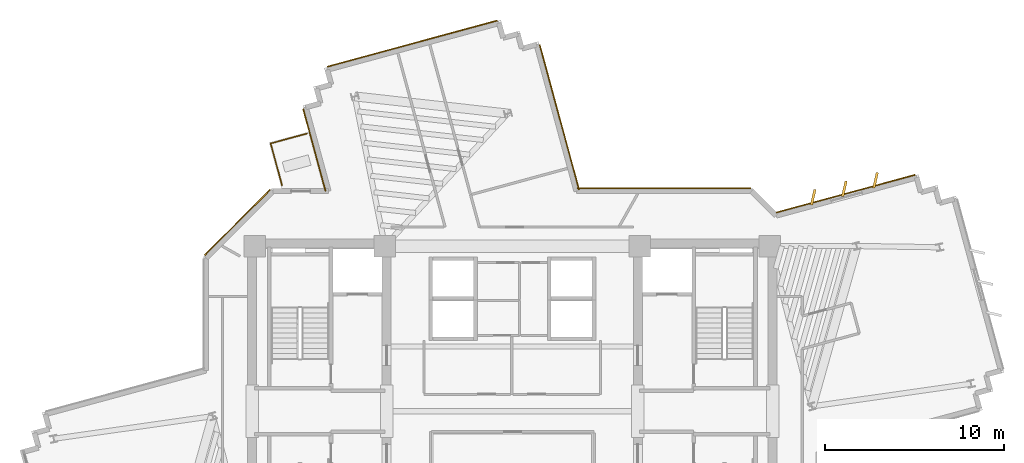
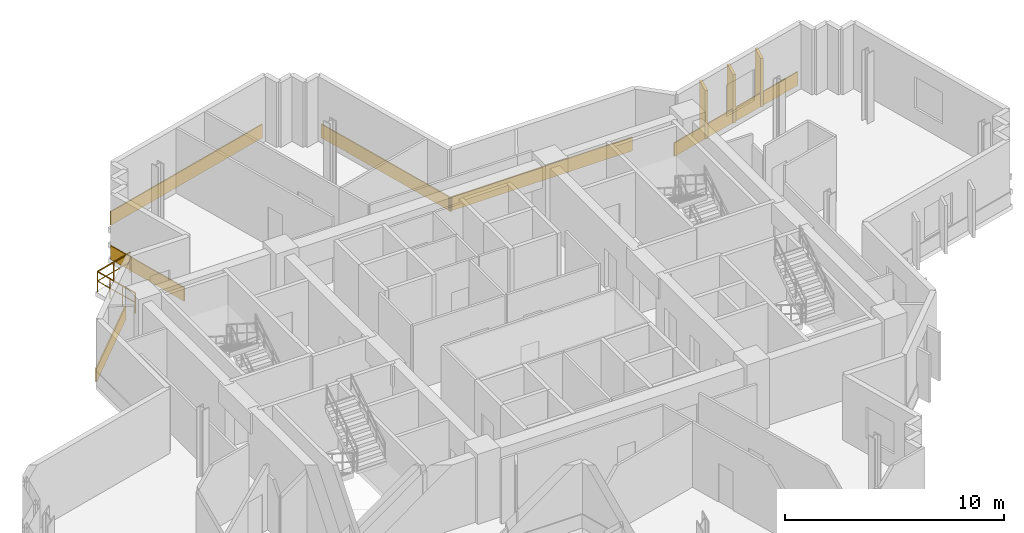
# One storey, part 15 of 15: 9 coverings, 2 railings.
"""IFC4 building model written with IfcOpenShell, lengths in metres."""

from ifc_helpers import new_model, si_unit, direction, frame, origin, origin_2d, place, context, subcontext, project, spatial, rectangle, extrude, source, transform, mapped, material, layer, layer_set, type_object, element, save


model = new_model("IFC4")

# Units and contexts
model_context = context("Model", 3, precision=1e-05, world=origin(), true_north=direction((0.0, 1.0)))
body_context = subcontext(model_context, "Body", "Model", "MODEL_VIEW")
ifc_project = project(units=[si_unit("LENGTHUNIT", "METRE"), si_unit("AREAUNIT", "SQUARE_METRE"), si_unit("VOLUMEUNIT", "CUBIC_METRE"), si_unit("PLANEANGLEUNIT", "RADIAN"), si_unit("MASSUNIT", "GRAM", prefix="KILO")], contexts=[model_context])

# Site, building, storey
site_placement = place(None, origin())
site = spatial("IfcSite", under=ifc_project, at=site_placement, CompositionType="ELEMENT")
building_placement = place(site_placement, origin())
building = spatial("IfcBuilding", under=site, at=building_placement, Name="Zahravan Cultural Tower", CompositionType="ELEMENT")
storey_placement = place(building_placement, frame((0.0, 0.0, 198.0)))
storey = spatial("IfcBuildingStorey", under=building, at=storey_placement, Name="L46", CompositionType="ELEMENT", Elevation=198.0)

# Railings
ifc_material_1 = material(Name="Steel ASTM A572 Grade 50", Category="steel")
railing_type = type_object("IfcRailingType", Name="RL-BAL-1150", PredefinedType="BALUSTRADE", material=ifc_material_1)
railing_1_placement = place(storey_placement, frame((22.53662109375, 41.922119140625, 0.0)))
element("IfcRailing", 1, at=railing_1_placement, inside=storey, type_object=railing_type, Name="L46 Edge Balustrade GRD-TR-L46-NW-01", PredefinedType="BALUSTRADE", context=body_context, shape_type="SweptSolid", body=[
    extrude(rectangle(XDim=0.05, YDim=0.05, at=origin_2d()), frame((0.0, 0.0, 1.125), z_axis=(0.965018262148, 0.262182672427, 0.0), x_axis=(-0.262182672427, 0.965018262148, 0.0)), (0.0, 0.0, 1.0), 2.099853515625),
    extrude(rectangle(XDim=0.032, YDim=0.032, at=origin_2d()), frame((0.0, 0.0, 0.597900390625), z_axis=(0.965018262148, 0.262182672427, 0.0), x_axis=(-0.262182672427, 0.965018262148, 0.0)), (0.0, 0.0, 1.0), 2.099853515625),
    extrude(rectangle(XDim=0.04, YDim=0.04, at=origin_2d()), origin(), (0.0, 0.0, 1.0), 1.14990234375),
    extrude(rectangle(XDim=0.04, YDim=0.04, at=origin_2d()), frame((1.01318359375, 0.275390625, 0.0)), (0.0, 0.0, 1.0), 1.14990234375),
    extrude(rectangle(XDim=0.04, YDim=0.04, at=origin_2d()), frame((2.0263671875, 0.550537109375, 0.0)), (0.0, 0.0, 1.0), 1.14990234375),
])
railing_2_placement = place(storey_placement, frame((23.1728515625, 39.580078125, 0.0)))
element("IfcRailing", 2, at=railing_2_placement, inside=storey, type_object=railing_type, Name="L46 Edge Balustrade GRD-TR-L46-NW-02", PredefinedType="BALUSTRADE", context=body_context, shape_type="SweptSolid", body=[
    extrude(rectangle(XDim=0.05, YDim=0.05, at=origin_2d()), frame((0.0, 0.0, 1.125), z_axis=(-0.262155414288, 0.96502566741, 0.0), x_axis=(-0.96502566741, -0.262155414288, 0.0)), (0.0, 0.0, 1.0), 2.427001953125),
    extrude(rectangle(XDim=0.032, YDim=0.032, at=origin_2d()), frame((0.0, 0.0, 0.597900390625), z_axis=(-0.262155414288, 0.96502566741, 0.0), x_axis=(-0.96502566741, -0.262155414288, 0.0)), (0.0, 0.0, 1.0), 2.427001953125),
    extrude(rectangle(XDim=0.04, YDim=0.04, at=origin_2d()), origin(), (0.0, 0.0, 1.0), 1.14990234375),
    extrude(rectangle(XDim=0.04, YDim=0.04, at=origin_2d()), frame((-0.212158203125, 0.78076171875, 0.0)), (0.0, 0.0, 1.0), 1.14990234375),
    extrude(rectangle(XDim=0.04, YDim=0.04, at=origin_2d()), frame((-0.424072265625, 1.561279296875, 0.0)), (0.0, 0.0, 1.0), 1.14990234375),
    extrude(rectangle(XDim=0.04, YDim=0.04, at=origin_2d()), frame((-0.63623046875, 2.342041015625, 0.0)), (0.0, 0.0, 1.0), 1.14990234375),
])

# Coverings
ifc_material_2 = material(Name="Terracotta ceramic cladding", Category="masonry")
ifc_layer = layer(ifc_material_2, 0.06005859375)
ifc_layer_set = layer_set([ifc_layer], Name="Terracotta ceramic cladding")
covering_type = type_object("IfcCoveringType", Name="COV-CLAD-TC60", PredefinedType="CLADDING", material=ifc_layer_set)
shared_shape_1 = source(origin(), body_context, "Body", "SweptSolid", [
    extrude(rectangle(XDim=9.820068359375, YDim=0.06005859375, at=origin_2d()), origin(), (0.0, 0.0, 1.0), 0.760009765625),
])
covering_1_placement = place(storey_placement, frame((30.43505859375, 47.482421875, 0.02001953125), z_axis=(0.0, 0.0, 1.0), x_axis=(0.965016494472, 0.262189178641, 0.0)))
element("IfcCovering", 3, at=covering_1_placement, inside=storey, type_object=covering_type, Name="L46 Terracotta Spandrel Cladding 45", PredefinedType="CLADDING", context=body_context, shape_type="MappedRepresentation", body=[
    mapped(shared_shape_1, transform((0.0, 0.0, 0.0), x_axis=(1.0, 0.0, 0.0), y_axis=(0.0, 1.0, 0.0), z_axis=(0.0, 0.0, 1.0), scale=1.0)),
])
shared_shape_2 = source(origin(), body_context, "Body", "SweptSolid", [
    extrude(rectangle(XDim=5.157958984375, YDim=0.06005859375, at=origin_2d()), origin(), (0.0, 0.0, 1.0), 0.760009765625),
])
covering_2_placement = place(storey_placement, frame((20.682373046875, 37.517578125, 0.02001953125), z_axis=(0.0, 0.0, 1.0), x_axis=(0.707106781187, 0.707106781187, 0.0)))
element("IfcCovering", 4, at=covering_2_placement, inside=storey, type_object=covering_type, Name="L46 Terracotta Spandrel Cladding 38", PredefinedType="CLADDING", context=body_context, shape_type="MappedRepresentation", body=[
    mapped(shared_shape_2, transform((0.0, 0.0, 0.0), x_axis=(1.0, 0.0, 0.0), y_axis=(0.0, 1.0, 0.0), z_axis=(0.0, 0.0, 1.0), scale=1.0)),
])
shared_shape_3 = source(origin(), body_context, "Body", "SweptSolid", [
    extrude(rectangle(XDim=0.8798828125, YDim=0.139892578125, at=origin_2d()), origin(), (0.0, 0.0, 1.0), 2.699951171875),
])
for number, where, z_axis, x_axis, name in (
    (5, (52.764404296875, 38.922607421875, 0.0498046875), (0.0, 0.0, 1.0), (0.221548497619, 0.975149354306, 0.0), "L46 Herringbone Terracotta Fin 01"),
    (6, (54.50146484375, 39.39453125, 0.0498046875), (0.0, 0.0, 1.0), (0.221548497619, 0.975149354306, 0.0), "L46 Herringbone Terracotta Fin 02"),
    (7, (56.23828125, 39.866455078125, 0.0498046875), (0.0, 0.0, 1.0), (0.221548497619, 0.975149354306, 0.0), "L46 Herringbone Terracotta Fin 03"),
):
    element("IfcCovering", number, at=place(storey_placement, frame(where, z_axis=z_axis, x_axis=x_axis)), inside=storey, type_object=covering_type, Name=name, PredefinedType="CLADDING", context=body_context, shape_type="MappedRepresentation", body=[
        mapped(shared_shape_3, transform((0.0, 0.0, 0.0), x_axis=(1.0, 0.0, 0.0), y_axis=(0.0, 1.0, 0.0), z_axis=(0.0, 0.0, 1.0), scale=1.0)),
    ])
shared_shape_4 = source(origin(), body_context, "Body", "SweptSolid", [
    extrude(rectangle(XDim=8.01220703125, YDim=0.06005859375, at=origin_2d()), origin(), (0.0, 0.0, 1.0), 0.760009765625),
])
covering_3_placement = place(storey_placement, frame((54.576171875, 39.119384765625, 0.02001953125), z_axis=(0.0, 0.0, 1.0), x_axis=(0.965016494472, 0.262189178641, 0.0)))
element("IfcCovering", 8, at=covering_3_placement, inside=storey, type_object=covering_type, Name="L46 Terracotta Spandrel Cladding 01", PredefinedType="CLADDING", context=body_context, shape_type="MappedRepresentation", body=[
    mapped(shared_shape_4, transform((0.0, 0.0, 0.0), x_axis=(1.0, 0.0, 0.0), y_axis=(0.0, 1.0, 0.0), z_axis=(0.0, 0.0, 1.0), scale=1.0)),
])
shared_shape_5 = source(origin(), body_context, "Body", "SweptSolid", [
    extrude(rectangle(XDim=4.74609375, YDim=0.06005859375, at=origin_2d()), origin(), (0.0, 0.0, 1.0), 0.760009765625),
])
covering_4_placement = place(storey_placement, frame((24.97314453125, 41.554931640625, 0.02001953125), z_axis=(0.0, 0.0, 1.0), x_axis=(-0.262189178641, 0.965016494472, 0.0)))
element("IfcCovering", 9, at=covering_4_placement, inside=storey, type_object=covering_type, Name="L46 Terracotta Spandrel Cladding 40", PredefinedType="CLADDING", context=body_context, shape_type="MappedRepresentation", body=[
    mapped(shared_shape_5, transform((0.0, 0.0, 0.0), x_axis=(1.0, 0.0, 0.0), y_axis=(0.0, 1.0, 0.0), z_axis=(0.0, 0.0, 1.0), scale=1.0)),
])
shared_shape_6 = source(origin(), body_context, "Body", "SweptSolid", [
    extrude(rectangle(XDim=8.364990234375, YDim=0.06005859375, at=origin_2d()), origin(), (0.0, 0.0, 1.0), 0.760009765625),
])
covering_5_placement = place(storey_placement, frame((38.6201171875, 43.3876953125, 0.02001953125), z_axis=(0.0, 0.0, 1.0), x_axis=(0.262189178641, -0.965016494472, 0.0)))
element("IfcCovering", 10, at=covering_5_placement, inside=storey, type_object=covering_type, Name="L46 Terracotta Spandrel Cladding 50", PredefinedType="CLADDING", context=body_context, shape_type="MappedRepresentation", body=[
    mapped(shared_shape_6, transform((0.0, 0.0, 0.0), x_axis=(1.0, 0.0, 0.0), y_axis=(0.0, 1.0, 0.0), z_axis=(0.0, 0.0, 1.0), scale=1.0)),
])
shared_shape_7 = source(origin(), body_context, "Body", "SweptSolid", [
    extrude(rectangle(XDim=9.67138671875, YDim=0.06005859375, at=origin_2d()), origin(), (0.0, 0.0, 1.0), 0.760009765625),
])
covering_6_placement = place(storey_placement, frame((44.456298828125, 39.425048828125, 0.02001953125), z_axis=(0.0, 0.0, 1.0), x_axis=(1.0, 0.0, 0.0)))
element("IfcCovering", 11, at=covering_6_placement, inside=storey, type_object=covering_type, Name="L46 Terracotta Spandrel Cladding 51", PredefinedType="CLADDING", context=body_context, shape_type="MappedRepresentation", body=[
    mapped(shared_shape_7, transform((0.0, 0.0, 0.0), x_axis=(1.0, 0.0, 0.0), y_axis=(0.0, 1.0, 0.0), z_axis=(0.0, 0.0, 1.0), scale=1.0)),
])

save(model, "model.ifc")
